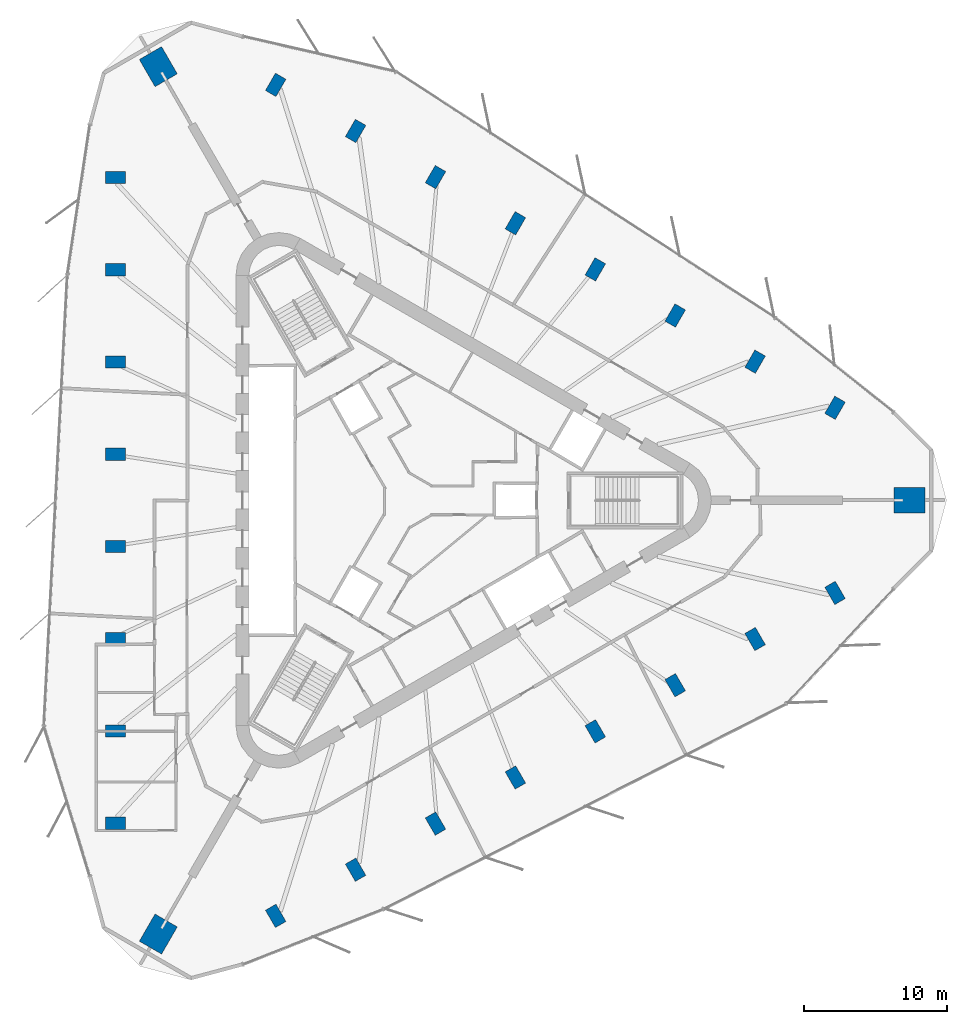
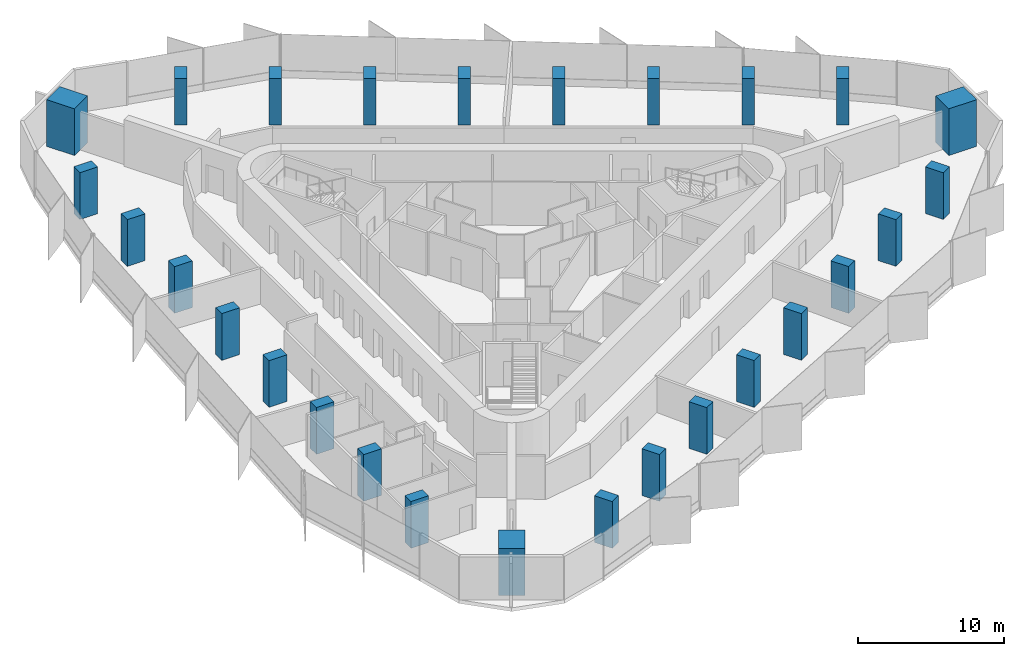
# One storey, part 1 of 13: 27 columns.
"""IFC4 building model written with IfcOpenShell, lengths in metres."""

from ifc_helpers import new_model, si_unit, direction, frame, origin, origin_2d, place, context, subcontext, project, spatial, rectangle, extrude, material, material_profile, profile_set, type_object, element, save


model = new_model("IFC4")

# Units and contexts
model_context = context("Model", 3, precision=1e-05, world=origin(), true_north=direction((0.0, 1.0)))
body_context = subcontext(model_context, "Body", "Model", "MODEL_VIEW")
ifc_project = project(units=[si_unit("LENGTHUNIT", "METRE"), si_unit("AREAUNIT", "SQUARE_METRE"), si_unit("VOLUMEUNIT", "CUBIC_METRE"), si_unit("PLANEANGLEUNIT", "RADIAN"), si_unit("MASSUNIT", "GRAM", prefix="KILO")], contexts=[model_context])

# Site, building, storey
site_placement = place(None, origin())
site = spatial("IfcSite", under=ifc_project, at=site_placement, CompositionType="ELEMENT")
building_placement = place(site_placement, origin())
building = spatial("IfcBuilding", under=site, at=building_placement, Name="Tanit Gate Tower", CompositionType="ELEMENT")
storey_placement = place(building_placement, frame((0.0, 0.0, 310.39990234375)))
storey = spatial("IfcBuildingStorey", under=building, at=storey_placement, Name="L69", CompositionType="ELEMENT", Elevation=310.39990234375)

# Columns
ifc_material_1 = material(Name="Concrete C50/60", Category="concrete")
ifc_material_profile_1 = material_profile(ifc_material_1, rectangle(XDim=2.199951171875, YDim=1.800048828125, at=origin_2d()), Name="RC 2200x1800")
ifc_profile_set_1 = profile_set([ifc_material_profile_1], Name="Concrete C50/60")
column_type_1 = type_object("IfcColumnType", Name="MEGA COLUMN 2200x1800 C50/60", PredefinedType="COLUMN", material=ifc_profile_set_1)
for number, where, z_axis, x_axis, name in (
    (1, (35.0830078125, 0.0, 0.0), (0.0, 0.0, 1.0), (1.0, 0.0, 0.0), "MEGA COLUMN"),
    (2, (-17.54150390625, 30.3828125, 0.0), (0.0, 0.0, 1.0), (-0.5, 0.866025403784, 0.0), "MEGA COLUMN"),
    (3, (-17.54150390625, -30.3828125, 0.0), (0.0, 0.0, 1.0), (-0.5, -0.866025403784, 0.0), "MEGA COLUMN"),
):
    element("IfcColumn", number, at=place(storey_placement, frame(where, z_axis=z_axis, x_axis=x_axis)), inside=storey, type_object=column_type_1, Name=name, PredefinedType="COLUMN", context=body_context, shape_type="SweptSolid", body=[
        extrude(rectangle(XDim=2.199951171875, YDim=1.800048828125, at=origin_2d()), origin(), (0.0, 0.0, 1.0), 3.900146484375),
    ])
ifc_material_2 = material(Name="Concrete C40/50", Category="concrete")
ifc_material_profile_2 = material_profile(ifc_material_2, rectangle(XDim=1.39990234375, YDim=0.85009765625, at=origin_2d()), Name="RC 1400x850")
ifc_profile_set_2 = profile_set([ifc_material_profile_2], Name="Concrete C40/50")
column_type_2 = type_object("IfcColumnType", Name="PERIMETER COLUMN 1400x850 C40/50", PredefinedType="COLUMN", material=ifc_profile_set_2)
for number, where, z_axis, x_axis, name in (
    (4, (-20.549560546875, 22.62353515625, 0.0), (0.0, 0.0, 1.0), (-1.0, 0.0, 0.0), "PERIMETER COLUMN"),
    (5, (-20.549560546875, 16.15966796875, 0.0), (0.0, 0.0, 1.0), (-1.0, 0.0, 0.0), "PERIMETER COLUMN"),
    (6, (-20.549560546875, 9.69580078125, 0.0), (0.0, 0.0, 1.0), (-1.0, 0.0, 0.0), "PERIMETER COLUMN"),
    (7, (-20.549560546875, 3.23193359375, 0.0), (0.0, 0.0, 1.0), (-1.0, 0.0, 0.0), "PERIMETER COLUMN"),
    (8, (-20.549560546875, -3.23193359375, 0.0), (0.0, 0.0, 1.0), (-1.0, 0.0, 0.0), "PERIMETER COLUMN"),
    (9, (-20.549560546875, -9.69580078125, 0.0), (0.0, 0.0, 1.0), (-1.0, 0.0, 0.0), "PERIMETER COLUMN"),
    (10, (-20.549560546875, -16.15966796875, 0.0), (0.0, 0.0, 1.0), (-1.0, 0.0, 0.0), "PERIMETER COLUMN"),
    (11, (-20.549560546875, -22.62353515625, 0.0), (0.0, 0.0, 1.0), (-1.0, 0.0, 0.0), "PERIMETER COLUMN"),
    (12, (29.867431640625, 6.484619140625, 0.0), (0.0, 0.0, 1.0), (0.5, 0.866025403784, 0.0), "PERIMETER COLUMN"),
    (13, (24.26953125, 9.716552734375, 0.0), (0.0, 0.0, 1.0), (0.5, 0.866025403784, 0.0), "PERIMETER COLUMN"),
    (14, (18.671630859375, 12.948486328125, 0.0), (0.0, 0.0, 1.0), (0.5, 0.866025403784, 0.0), "PERIMETER COLUMN"),
    (15, (13.07373046875, 16.180419921875, 0.0), (0.0, 0.0, 1.0), (0.5, 0.866025403784, 0.0), "PERIMETER COLUMN"),
    (16, (7.475830078125, 19.412353515625, 0.0), (0.0, 0.0, 1.0), (0.5, 0.866025403784, 0.0), "PERIMETER COLUMN"),
    (17, (1.8779296875, 22.644287109375, 0.0), (0.0, 0.0, 1.0), (0.5, 0.866025403784, 0.0), "PERIMETER COLUMN"),
    (18, (-3.719970703125, 25.876220703125, 0.0), (0.0, 0.0, 1.0), (0.5, 0.866025403784, 0.0), "PERIMETER COLUMN"),
    (19, (-9.31787109375, 29.1083984375, 0.0), (0.0, 0.0, 1.0), (0.5, 0.866025403784, 0.0), "PERIMETER COLUMN"),
    (20, (-9.31787109375, -29.1083984375, 0.0), (0.0, 0.0, 1.0), (0.5, -0.866025403784, 0.0), "PERIMETER COLUMN"),
    (21, (-3.719970703125, -25.876220703125, 0.0), (0.0, 0.0, 1.0), (0.5, -0.866025403784, 0.0), "PERIMETER COLUMN"),
    (22, (1.8779296875, -22.644287109375, 0.0), (0.0, 0.0, 1.0), (0.5, -0.866025403784, 0.0), "PERIMETER COLUMN"),
    (23, (7.475830078125, -19.412353515625, 0.0), (0.0, 0.0, 1.0), (0.5, -0.866025403784, 0.0), "PERIMETER COLUMN"),
    (24, (13.07373046875, -16.180419921875, 0.0), (0.0, 0.0, 1.0), (0.5, -0.866025403784, 0.0), "PERIMETER COLUMN"),
    (25, (18.671630859375, -12.948486328125, 0.0), (0.0, 0.0, 1.0), (0.5, -0.866025403784, 0.0), "PERIMETER COLUMN"),
    (26, (24.26953125, -9.716552734375, 0.0), (0.0, 0.0, 1.0), (0.5, -0.866025403784, 0.0), "PERIMETER COLUMN"),
    (27, (29.867431640625, -6.484619140625, 0.0), (0.0, 0.0, 1.0), (0.5, -0.866025403784, 0.0), "PERIMETER COLUMN"),
):
    element("IfcColumn", number, at=place(storey_placement, frame(where, z_axis=z_axis, x_axis=x_axis)), inside=storey, type_object=column_type_2, Name=name, PredefinedType="COLUMN", context=body_context, shape_type="SweptSolid", body=[
        extrude(rectangle(XDim=1.39990234375, YDim=0.85009765625, at=origin_2d()), origin(), (0.0, 0.0, 1.0), 3.900146484375),
    ])

save(model, "model.ifc")
